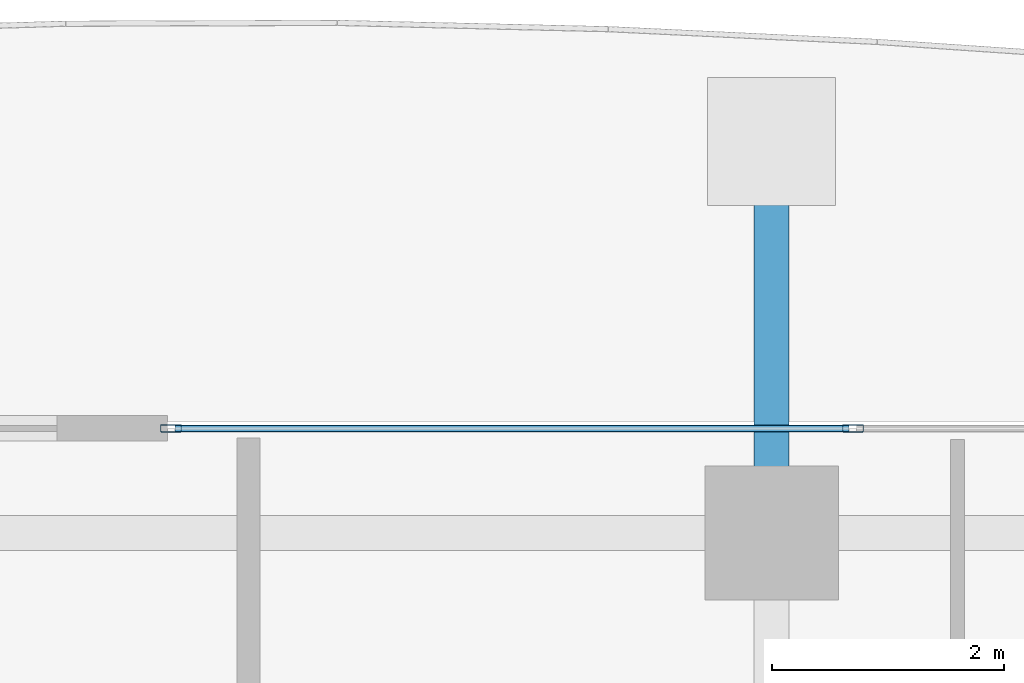
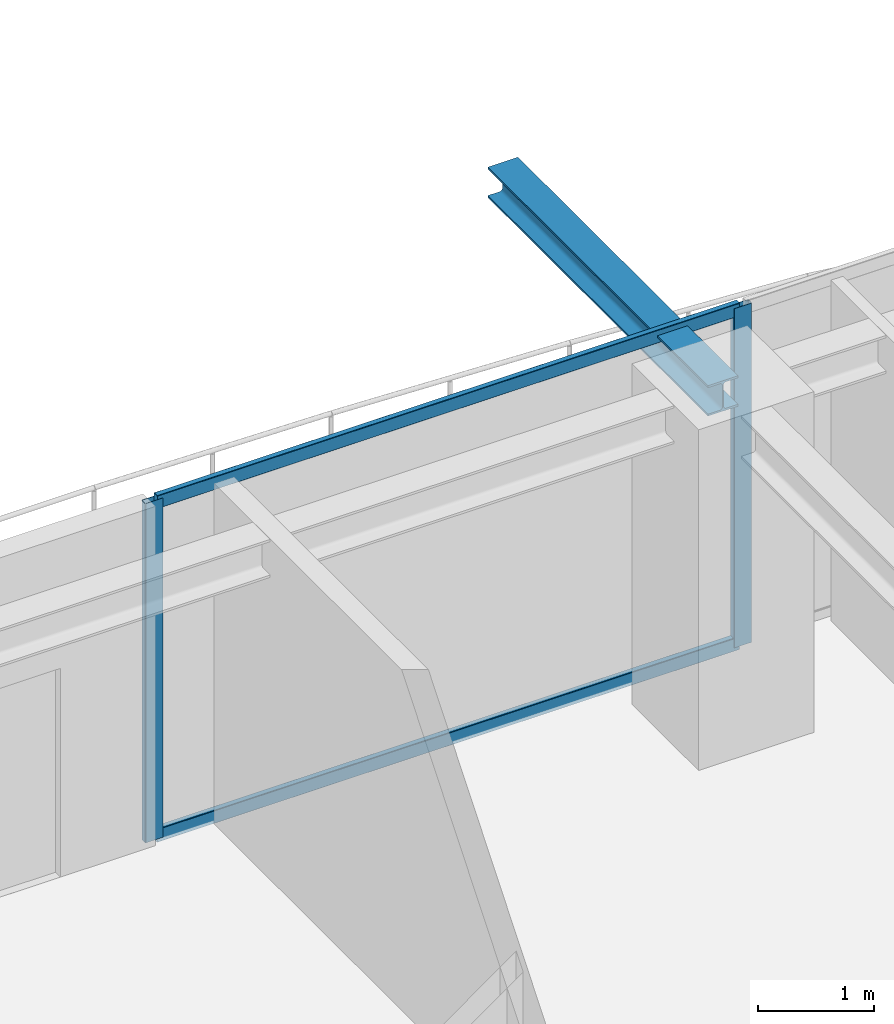
# One storey, part 21 of 37: 4 members, 1 beam, 1 element without a shape of its own.
"""IFC4 building model written with IfcOpenShell, lengths in metres."""

from ifc_helpers import new_model, si_unit, direction, frame, origin, origin_2d, place, context, subcontext, project, spatial, hollow_rectangle, i_section, extrude, source, transform, mapped, material, layer, layer_set, material_profile, profile_set, type_object, element, aggregate, save


model = new_model("IFC4")

# Units and contexts
model_context = context("Model", 3, precision=1e-05, world=origin(), true_north=direction((0.0, 1.0)))
body_context = subcontext(model_context, "Body", "Model", "MODEL_VIEW")
ifc_project = project(units=[si_unit("LENGTHUNIT", "METRE"), si_unit("AREAUNIT", "SQUARE_METRE"), si_unit("VOLUMEUNIT", "CUBIC_METRE"), si_unit("PLANEANGLEUNIT", "RADIAN"), si_unit("MASSUNIT", "GRAM", prefix="KILO")], contexts=[model_context])

# Site, building, storey
site_placement = place(None, origin())
site = spatial("IfcSite", under=ifc_project, at=site_placement, CompositionType="ELEMENT")
building_placement = place(site_placement, origin())
building = spatial("IfcBuilding", under=site, at=building_placement, Name="Serunith Strait Residences", CompositionType="ELEMENT")
storey_placement = place(building_placement, frame((0.0, 0.0, 233.550048828125)))
storey = spatial("IfcBuildingStorey", under=building, at=storey_placement, Name="L58", CompositionType="ELEMENT", Elevation=233.550048828125)

# Beam
ifc_material_1 = material(Name="Steel S355J2", Category="steel")
ifc_material_profile_1 = material_profile(ifc_material_1, i_section(OverallWidth=0.300048828125, OverallDepth=0.320068359375, WebThickness=0.011474609375, FlangeThickness=0.0205078125, FilletRadius=0.027099609375, at=origin_2d()), Name="HEB 320")
ifc_profile_set_1 = profile_set([ifc_material_profile_1], Name="Steel S355J2")
beam_type = type_object("IfcBeamType", Name="BM-HEB320", PredefinedType="BEAM", material=ifc_profile_set_1)
shared_shape_1 = source(origin(), body_context, "Body", "SweptSolid", [
    extrude(i_section(OverallWidth=0.300048828125, OverallDepth=0.320068359375, WebThickness=0.011474609375, FlangeThickness=0.0205078125, FilletRadius=0.027099609375, at=origin_2d()), origin(), (0.0, 0.0, 1.0), 3.800048828125),
])
beam_placement = place(storey_placement, frame((36.89990234375, 48.300048828125, 3.39697265625), z_axis=(0.0, 1.0, 0.0), x_axis=(-1.0, 0.0, 0.0)))
element("IfcBeam", 1, at=beam_placement, inside=storey, type_object=beam_type, Name="L59 Cantilevered Balcony Rib TC-N3", PredefinedType="BEAM", context=body_context, shape_type="MappedRepresentation", body=[
    mapped(shared_shape_1, transform((0.0, 0.0, 0.0), scale=1.0)),
])

# Curtain wall, members
ifc_material_2 = material(Name="Pale-Champagne Anodised Aluminium", Category="aluminium")
ifc_layer = layer(ifc_material_2, 0.199951171875, Name="Pale-Champagne Anodised Aluminium")
ifc_layer_set = layer_set([ifc_layer], Name="Pale-Champagne Anodised Aluminium")
curtain_wall_type = type_object("IfcCurtainWallType", Name="CW-SYS4", PredefinedType="NOTDEFINED", material=ifc_layer_set)
curtain_wall_placement = place(storey_placement, origin())
curtain_wall = element("IfcCurtainWall", 2, at=curtain_wall_placement, inside=storey, type_object=curtain_wall_type, Name="L58 N Unitised Fritted Curtain Wall", PredefinedType="NOTDEFINED")
ifc_material_profile_2 = material_profile(ifc_material_2, hollow_rectangle(XDim=0.06494140625, YDim=0.179931640625, WallThickness=0.00341796875, InnerFilletRadius=0.00537109375, OuterFilletRadius=0.0087890625, at=origin_2d()), Name="ALU 180x65x3.5")
ifc_profile_set_2 = profile_set([ifc_material_profile_2], Name="Pale-Champagne Anodised Aluminium")
member_type_1 = type_object("IfcMemberType", Name="CW-SYS4-MULL", PredefinedType="MULLION", material=ifc_profile_set_2)
shared_shape_2 = source(origin(), body_context, "Body", "SweptSolid", [
    extrude(hollow_rectangle(XDim=0.06494140625, YDim=0.179931640625, WallThickness=0.00341796875, InnerFilletRadius=0.00537109375, OuterFilletRadius=0.0087890625, at=origin_2d()), origin(), (0.0, 0.0, 1.0), 3.574951171875),
])
member_1_placement = place(storey_placement, frame((37.60009765625, 49.199951171875, 0.0), z_axis=(0.0, 0.0, 1.0), x_axis=(0.0, -1.0, 0.0)))
member_1 = element("IfcMember", 3, at=member_1_placement, type_object=member_type_1, Name="CW-4 mullion 3", PredefinedType="MULLION", context=body_context, shape_type="MappedRepresentation", body=[
    mapped(shared_shape_2, transform((0.0, 0.0, 0.0), scale=1.0)),
])
member_2_placement = place(storey_placement, frame((31.732421875, 49.199951171875, 0.0), z_axis=(0.0, 0.0, 1.0), x_axis=(0.0, -1.0, 0.0)))
member_2 = element("IfcMember", 4, at=member_2_placement, type_object=member_type_1, Name="CW-4 mullion 4", PredefinedType="MULLION", context=body_context, shape_type="MappedRepresentation", body=[
    mapped(shared_shape_2, transform((0.0, 0.0, 0.0), scale=1.0)),
])
ifc_material_profile_3 = material_profile(ifc_material_2, hollow_rectangle(XDim=0.06005859375, YDim=0.139892578125, WallThickness=0.00341796875, InnerFilletRadius=0.00537109375, OuterFilletRadius=0.0087890625, at=origin_2d()), Name="ALU 140x60x3.5")
ifc_profile_set_3 = profile_set([ifc_material_profile_3], Name="Pale-Champagne Anodised Aluminium")
member_type_2 = type_object("IfcMemberType", Name="CW-SYS4-TRAN", PredefinedType="USERDEFINED", material=ifc_profile_set_3)
shared_shape_3 = source(origin(), body_context, "Body", "SweptSolid", [
    extrude(hollow_rectangle(XDim=0.06005859375, YDim=0.139892578125, WallThickness=0.00341796875, InnerFilletRadius=0.00537109375, OuterFilletRadius=0.0087890625, at=origin_2d()), origin(), (0.0, 0.0, 1.0), 5.802490234375),
])
member_3_placement = place(storey_placement, frame((37.5673828125, 49.199951171875, 0.030029296875), z_axis=(-1.0, 0.0, 0.0), x_axis=(0.0, -1.0, 0.0)))
member_3 = element("IfcMember", 5, at=member_3_placement, type_object=member_type_2, Name="CW-4 transom 3.1", ObjectType="TRANSOM", PredefinedType="USERDEFINED", context=body_context, shape_type="MappedRepresentation", body=[
    mapped(shared_shape_3, transform((0.0, 0.0, 0.0), scale=1.0)),
])
member_4_placement = place(storey_placement, frame((37.5673828125, 49.199951171875, 3.544921875), z_axis=(-1.0, 0.0, 0.0), x_axis=(0.0, -1.0, 0.0)))
member_4 = element("IfcMember", 6, at=member_4_placement, type_object=member_type_2, Name="CW-4 transom 3.2", ObjectType="TRANSOM", PredefinedType="USERDEFINED", context=body_context, shape_type="MappedRepresentation", body=[
    mapped(shared_shape_3, transform((0.0, 0.0, 0.0), scale=1.0)),
])
aggregate(curtain_wall, [member_1, member_2, member_3, member_4])

save(model, "model.ifc")
